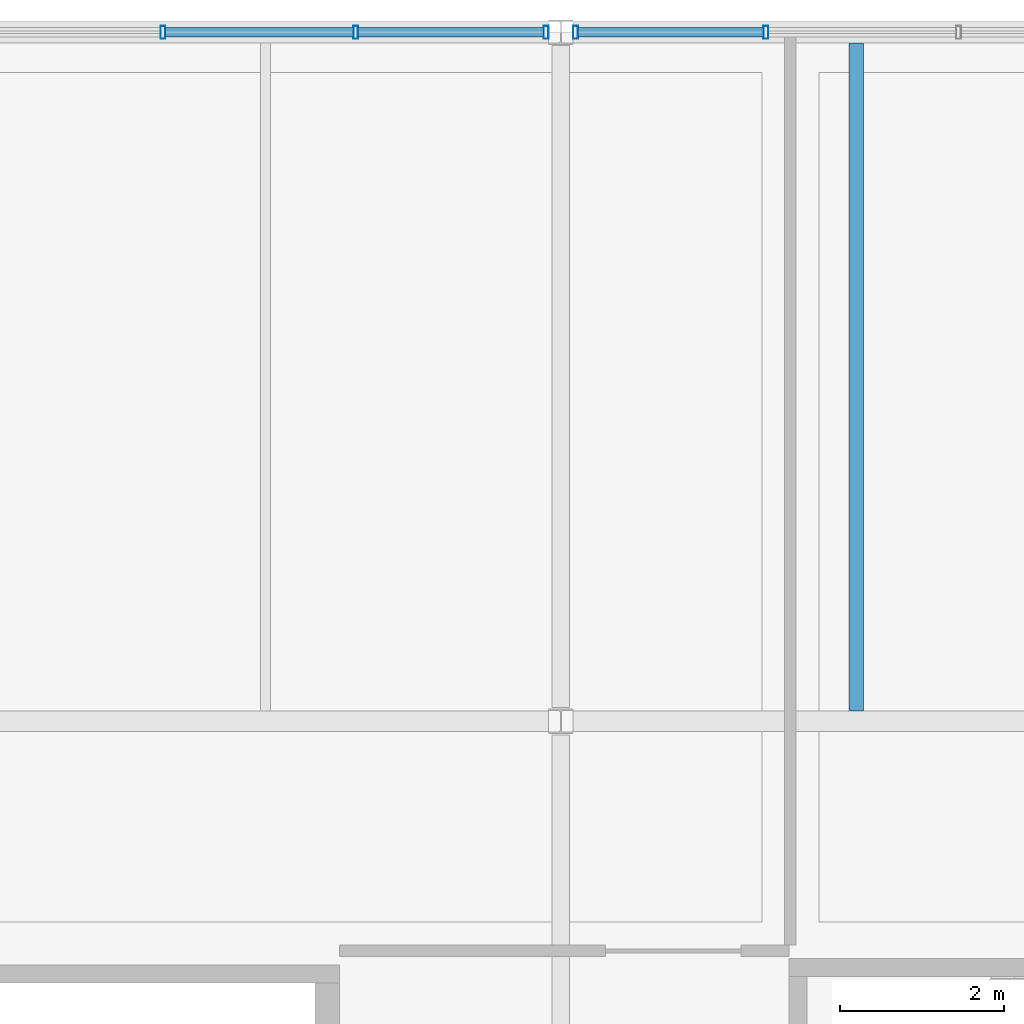
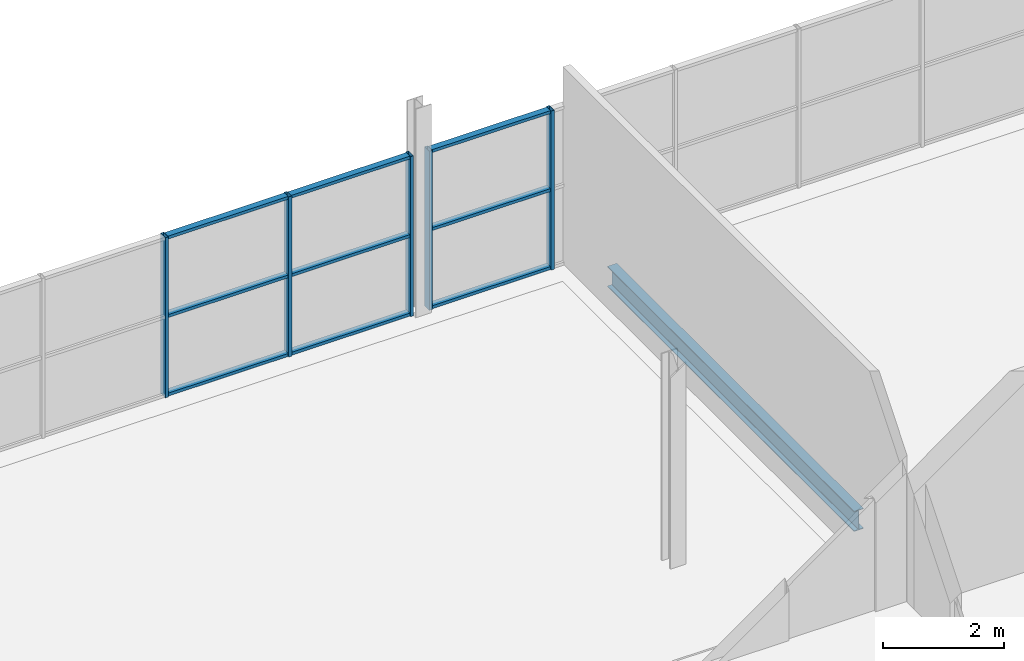
# One storey, part 34 of 68: 14 members, 1 beam, 2 elements without a shape of their own.
"""IFC4 building model written with IfcOpenShell, lengths in metres."""

from ifc_helpers import new_model, si_unit, direction, frame, origin, origin_2d, place, context, subcontext, project, spatial, hollow_rectangle, i_section, extrude, material, material_profile, profile_set, type_object, element, aggregate, save


model = new_model("IFC4")

# Units and contexts
model_context = context("Model", 3, precision=1e-05, world=origin(), true_north=direction((0.0, 1.0)))
body_context = subcontext(model_context, "Body", "Model", "MODEL_VIEW")
ifc_project = project(units=[si_unit("LENGTHUNIT", "METRE"), si_unit("AREAUNIT", "SQUARE_METRE"), si_unit("VOLUMEUNIT", "CUBIC_METRE"), si_unit("PLANEANGLEUNIT", "RADIAN"), si_unit("MASSUNIT", "GRAM", prefix="KILO"), si_unit("THERMODYNAMICTEMPERATUREUNIT", "KELVIN")], contexts=[model_context])

# Site, building, storey
site_placement = place(None, origin())
site = spatial("IfcSite", under=ifc_project, at=site_placement, CompositionType="ELEMENT")
building_placement = place(site_placement, origin())
building = spatial("IfcBuilding", under=site, at=building_placement, Name="Nduvali Passage Aquatics Centre", CompositionType="ELEMENT")
storey_placement = place(building_placement, frame((0.0, 0.0, 13.199951171875)))
storey = spatial("IfcBuildingStorey", under=building, at=storey_placement, Name="L03", CompositionType="ELEMENT", Elevation=13.199951171875)

# Curtain wall, members
ifc_material_1 = material(Name="Aluminium EN AW-6063 T6", Category="aluminium")
curtain_wall_type = type_object("IfcCurtainWallType", Name="ENV-CW-WELL", PredefinedType="NOTDEFINED", material=ifc_material_1)
curtain_wall_1_placement = place(storey_placement, origin())
curtain_wall_1 = element("IfcCurtainWall", 1, at=curtain_wall_1_placement, inside=storey, type_object=curtain_wall_type, Name="L03 North Avenue Teaching CW 102", PredefinedType="NOTDEFINED")
ifc_material_profile_1 = material_profile(ifc_material_1, hollow_rectangle(XDim=0.06005859375, YDim=0.159912109375, WallThickness=0.00390625, at=origin_2d()), Name="ALU MULLION 60x160x4")
ifc_profile_set_1 = profile_set([ifc_material_profile_1], Name="Aluminium EN AW-6063 T6")
member_type_1 = type_object("IfcMemberType", Name="ENV-MEM-MUL60", PredefinedType="MULLION", material=ifc_profile_set_1)
member_1_placement = place(storey_placement, frame((63.550048828125, 117.60009765625, 0.0), z_axis=(0.0, 0.0, 1.0), x_axis=(1.0, 0.0, 0.0)))
member_1 = element("IfcMember", 2, at=member_1_placement, type_object=member_type_1, Name="North Avenue Teaching CW Mullion 5", PredefinedType="MULLION", context=body_context, shape_type="SweptSolid", body=[
    extrude(hollow_rectangle(XDim=0.06005859375, YDim=0.159912109375, WallThickness=0.00390625, at=origin_2d()), origin(), (0.0, 0.0, 1.0), 3.223876953125),
])
member_2_placement = place(storey_placement, frame((65.89990234375, 117.60009765625, 0.0), z_axis=(0.0, 0.0, 1.0), x_axis=(1.0, 0.0, 0.0)))
member_2 = element("IfcMember", 3, at=member_2_placement, type_object=member_type_1, Name="North Avenue Teaching CW Mullion 6", PredefinedType="MULLION", context=body_context, shape_type="SweptSolid", body=[
    extrude(hollow_rectangle(XDim=0.06005859375, YDim=0.159912109375, WallThickness=0.00390625, at=origin_2d()), origin(), (0.0, 0.0, 1.0), 3.223876953125),
])
member_3_placement = place(storey_placement, frame((68.219970703125, 117.60009765625, 0.0), z_axis=(0.0, 0.0, 1.0), x_axis=(1.0, 0.0, 0.0)))
member_3 = element("IfcMember", 4, at=member_3_placement, type_object=member_type_1, Name="North Avenue Teaching CW Mullion 7", PredefinedType="MULLION", context=body_context, shape_type="SweptSolid", body=[
    extrude(hollow_rectangle(XDim=0.06005859375, YDim=0.159912109375, WallThickness=0.00390625, at=origin_2d()), origin(), (0.0, 0.0, 1.0), 3.223876953125),
])

curtain_wall_2_placement = place(storey_placement, origin())
curtain_wall_2 = element("IfcCurtainWall", 5, at=curtain_wall_2_placement, inside=storey, type_object=curtain_wall_type, Name="L03 North Avenue Teaching CW 105", PredefinedType="NOTDEFINED")
member_4_placement = place(storey_placement, frame((68.580078125, 117.60009765625, 0.0), z_axis=(0.0, 0.0, 1.0), x_axis=(1.0, 0.0, 0.0)))
member_4 = element("IfcMember", 6, at=member_4_placement, type_object=member_type_1, Name="North Avenue Teaching CW Mullion 1", PredefinedType="MULLION", context=body_context, shape_type="SweptSolid", body=[
    extrude(hollow_rectangle(XDim=0.06005859375, YDim=0.159912109375, WallThickness=0.00390625, at=origin_2d()), origin(), (0.0, 0.0, 1.0), 3.203857421875),
])
member_5_placement = place(storey_placement, frame((70.89990234375, 117.60009765625, 0.0), z_axis=(0.0, 0.0, 1.0), x_axis=(1.0, 0.0, 0.0)))
member_5 = element("IfcMember", 7, at=member_5_placement, type_object=member_type_1, Name="North Avenue Teaching CW Mullion 2", PredefinedType="MULLION", context=body_context, shape_type="SweptSolid", body=[
    extrude(hollow_rectangle(XDim=0.06005859375, YDim=0.159912109375, WallThickness=0.00390625, at=origin_2d()), origin(), (0.0, 0.0, 1.0), 3.203857421875),
])

# Member
ifc_material_profile_2 = material_profile(ifc_material_1, hollow_rectangle(XDim=0.1201171875, YDim=0.06005859375, WallThickness=0.00390625, at=origin_2d()), Name="ALU TRANSOM 120x60x4")
ifc_profile_set_2 = profile_set([ifc_material_profile_2], Name="Aluminium EN AW-6063 T6")
member_type_2 = type_object("IfcMemberType", Name="ENV-MEM-TRN60", PredefinedType="USERDEFINED", material=ifc_profile_set_2)
member_6_placement = place(storey_placement, frame((63.580078125, 117.60009765625, 0.030029296875), z_axis=(1.0, 0.0, 0.0), x_axis=(0.0, 1.0, 0.0)))
member_6 = element("IfcMember", 8, at=member_6_placement, type_object=member_type_2, Name="North Avenue Teaching CW Transom B5-R0", ObjectType="TRANSOM", PredefinedType="USERDEFINED", context=body_context, shape_type="SweptSolid", body=[
    extrude(hollow_rectangle(XDim=0.1201171875, YDim=0.06005859375, WallThickness=0.00390625, at=origin_2d()), origin(), (0.0, 0.0, 1.0), 2.2900390625),
])

member_7_placement = place(storey_placement, frame((63.580078125, 117.60009765625, 1.612060546875), z_axis=(1.0, 0.0, 0.0), x_axis=(0.0, 1.0, 0.0)))
member_7 = element("IfcMember", 9, at=member_7_placement, type_object=member_type_2, Name="North Avenue Teaching CW Transom B5-R1", ObjectType="TRANSOM", PredefinedType="USERDEFINED", context=body_context, shape_type="SweptSolid", body=[
    extrude(hollow_rectangle(XDim=0.1201171875, YDim=0.06005859375, WallThickness=0.00390625, at=origin_2d()), origin(), (0.0, 0.0, 1.0), 2.2900390625),
])

member_8_placement = place(storey_placement, frame((63.580078125, 117.60009765625, 3.19384765625), z_axis=(1.0, 0.0, 0.0), x_axis=(0.0, 1.0, 0.0)))
member_8 = element("IfcMember", 10, at=member_8_placement, type_object=member_type_2, Name="North Avenue Teaching CW Transom B5-R2", ObjectType="TRANSOM", PredefinedType="USERDEFINED", context=body_context, shape_type="SweptSolid", body=[
    extrude(hollow_rectangle(XDim=0.1201171875, YDim=0.06005859375, WallThickness=0.00390625, at=origin_2d()), origin(), (0.0, 0.0, 1.0), 2.2900390625),
])

member_9_placement = place(storey_placement, frame((65.929931640625, 117.60009765625, 0.030029296875), z_axis=(1.0, 0.0, 0.0), x_axis=(0.0, 1.0, 0.0)))
member_9 = element("IfcMember", 11, at=member_9_placement, type_object=member_type_2, Name="North Avenue Teaching CW Transom B6-R0", ObjectType="TRANSOM", PredefinedType="USERDEFINED", context=body_context, shape_type="SweptSolid", body=[
    extrude(hollow_rectangle(XDim=0.1201171875, YDim=0.06005859375, WallThickness=0.00390625, at=origin_2d()), origin(), (0.0, 0.0, 1.0), 2.260009765625),
])

member_10_placement = place(storey_placement, frame((65.929931640625, 117.60009765625, 1.612060546875), z_axis=(1.0, 0.0, 0.0), x_axis=(0.0, 1.0, 0.0)))
member_10 = element("IfcMember", 12, at=member_10_placement, type_object=member_type_2, Name="North Avenue Teaching CW Transom B6-R1", ObjectType="TRANSOM", PredefinedType="USERDEFINED", context=body_context, shape_type="SweptSolid", body=[
    extrude(hollow_rectangle(XDim=0.1201171875, YDim=0.06005859375, WallThickness=0.00390625, at=origin_2d()), origin(), (0.0, 0.0, 1.0), 2.260009765625),
])

member_11_placement = place(storey_placement, frame((65.929931640625, 117.60009765625, 3.19384765625), z_axis=(1.0, 0.0, 0.0), x_axis=(0.0, 1.0, 0.0)))
member_11 = element("IfcMember", 13, at=member_11_placement, type_object=member_type_2, Name="North Avenue Teaching CW Transom B6-R2", ObjectType="TRANSOM", PredefinedType="USERDEFINED", context=body_context, shape_type="SweptSolid", body=[
    extrude(hollow_rectangle(XDim=0.1201171875, YDim=0.06005859375, WallThickness=0.00390625, at=origin_2d()), origin(), (0.0, 0.0, 1.0), 2.260009765625),
])

aggregate(curtain_wall_1, [member_1, member_2, member_3, member_6, member_7, member_8, member_9, member_10, member_11])

member_12_placement = place(storey_placement, frame((68.610107421875, 117.60009765625, 0.030029296875), z_axis=(1.0, 0.0, 0.0), x_axis=(0.0, 1.0, 0.0)))
member_12 = element("IfcMember", 14, at=member_12_placement, type_object=member_type_2, Name="North Avenue Teaching CW Transom B1-R0", ObjectType="TRANSOM", PredefinedType="USERDEFINED", context=body_context, shape_type="SweptSolid", body=[
    extrude(hollow_rectangle(XDim=0.1201171875, YDim=0.06005859375, WallThickness=0.00390625, at=origin_2d()), origin(), (0.0, 0.0, 1.0), 2.260009765625),
])

member_13_placement = place(storey_placement, frame((68.610107421875, 117.60009765625, 1.60205078125), z_axis=(1.0, 0.0, 0.0), x_axis=(0.0, 1.0, 0.0)))
member_13 = element("IfcMember", 15, at=member_13_placement, type_object=member_type_2, Name="North Avenue Teaching CW Transom B1-R1", ObjectType="TRANSOM", PredefinedType="USERDEFINED", context=body_context, shape_type="SweptSolid", body=[
    extrude(hollow_rectangle(XDim=0.1201171875, YDim=0.06005859375, WallThickness=0.00390625, at=origin_2d()), origin(), (0.0, 0.0, 1.0), 2.260009765625),
])

member_14_placement = place(storey_placement, frame((68.610107421875, 117.60009765625, 3.173828125), z_axis=(1.0, 0.0, 0.0), x_axis=(0.0, 1.0, 0.0)))
member_14 = element("IfcMember", 16, at=member_14_placement, type_object=member_type_2, Name="North Avenue Teaching CW Transom B1-R2", ObjectType="TRANSOM", PredefinedType="USERDEFINED", context=body_context, shape_type="SweptSolid", body=[
    extrude(hollow_rectangle(XDim=0.1201171875, YDim=0.06005859375, WallThickness=0.00390625, at=origin_2d()), origin(), (0.0, 0.0, 1.0), 2.260009765625),
])

aggregate(curtain_wall_2, [member_4, member_5, member_12, member_13, member_14])

# Beam
ifc_material_2 = material(Name="Steel S355", Category="steel")
ifc_material_profile_3 = material_profile(ifc_material_2, i_section(OverallWidth=0.1787109375, OverallDepth=0.409423828125, WebThickness=0.0087890625, FlangeThickness=0.014404296875, FilletRadius=0.01025390625, at=origin_2d()), Name="UKB 406x178x67")
ifc_profile_set_3 = profile_set([ifc_material_profile_3], Name="Steel S355")
beam_type = type_object("IfcBeamType", Name="STR-JST-UKB406", PredefinedType="JOIST", material=ifc_profile_set_3)
beam_placement = place(storey_placement, frame((72.0, 109.326904296875, -0.458740234375), z_axis=(0.0, 1.0, 0.0), x_axis=(-1.0, 0.0, 0.0)))
element("IfcBeam", 17, at=beam_placement, inside=storey, type_object=beam_type, Name="L03 Secondary Joist J1-1309", PredefinedType="JOIST", context=body_context, shape_type="SweptSolid", body=[
    extrude(i_section(OverallWidth=0.1787109375, OverallDepth=0.409423828125, WebThickness=0.0087890625, FlangeThickness=0.014404296875, FilletRadius=0.01025390625, at=origin_2d()), origin(), (0.0, 0.0, 1.0), 8.139892578125),
])

save(model, "model.ifc")
